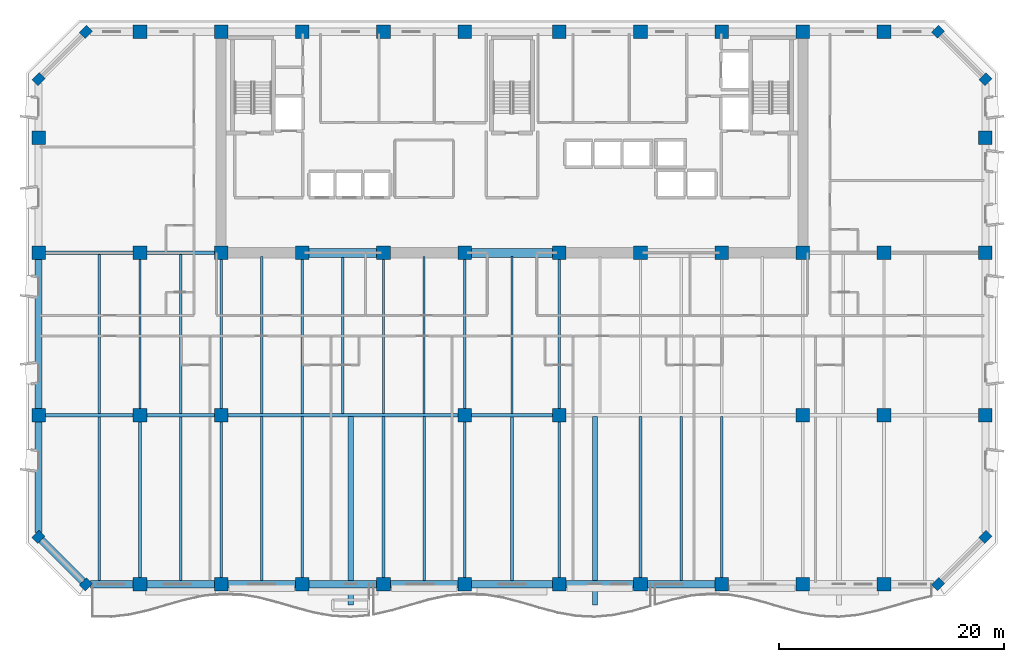
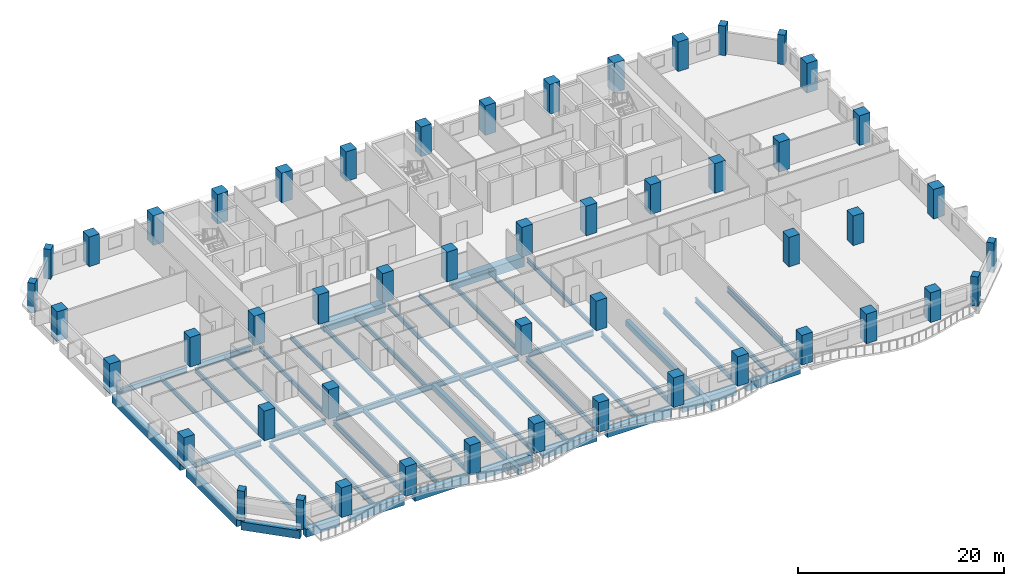
# One storey, part 1 of 15: 50 columns, 47 beams.
"""IFC4 building model written with IfcOpenShell, lengths in metres."""

from ifc_helpers import new_model, si_unit, direction, frame, origin, origin_2d, place, context, subcontext, project, spatial, rectangle, i_section, extrude, material, material_profile, profile_set, type_object, element, save


model = new_model("IFC4")

# Units and contexts
model_context = context("Model", 3, precision=1e-05, world=origin(), true_north=direction((0.0, 1.0)))
body_context = subcontext(model_context, "Body", "Model", "MODEL_VIEW")
ifc_project = project(units=[si_unit("LENGTHUNIT", "METRE"), si_unit("AREAUNIT", "SQUARE_METRE"), si_unit("VOLUMEUNIT", "CUBIC_METRE"), si_unit("PLANEANGLEUNIT", "RADIAN"), si_unit("MASSUNIT", "GRAM", prefix="KILO")], contexts=[model_context])

# Site, building, storey
site_placement = place(None, origin())
site = spatial("IfcSite", under=ifc_project, at=site_placement, CompositionType="ELEMENT")
building_placement = place(site_placement, origin())
building = spatial("IfcBuilding", under=site, at=building_placement, Name="Kaelvorn Grand Hotel", CompositionType="ELEMENT")
storey_placement = place(building_placement, frame((0.0, 0.0, 104.300048828125)))
storey = spatial("IfcBuildingStorey", under=building, at=storey_placement, Name="L24", CompositionType="ELEMENT", Elevation=104.300048828125)

# Columns
ifc_material_1 = material(Name="Concrete C60/75", Category="concrete")
ifc_material_profile_1 = material_profile(ifc_material_1, rectangle(XDim=0.89990234375, YDim=0.75, at=origin_2d()), Name="RC PILASTER 900x750")
ifc_profile_set_1 = profile_set([ifc_material_profile_1], Name="Concrete C60/75")
column_type_1 = type_object("IfcColumnType", Name="COL-PIL-900x750-C60", PredefinedType="PILASTER", material=ifc_profile_set_1)
for number, where, z_axis, x_axis, name in (
    (1, (4.199951171875, 0.0, 0.0), (0.0, 0.0, 1.0), (0.707106781187, 0.707106781187, 0.0), "L24 Structural Column CH-01"),
    (2, (79.800048828125, 0.0, 0.0), (0.0, 0.0, 1.0), (0.707106781187, 0.707106781187, 0.0), "L24 Structural Column CH-02"),
    (3, (84.0, 4.199951171875, 0.0), (0.0, 0.0, 1.0), (0.707106781187, 0.707106781187, 0.0), "L24 Structural Column CH-03"),
    (4, (84.0, 44.800048828125, 0.0), (0.0, 0.0, 1.0), (0.707106781187, 0.707106781187, 0.0), "L24 Structural Column CH-04"),
    (5, (79.800048828125, 49.0, 0.0), (0.0, 0.0, 1.0), (0.707106781187, 0.707106781187, 0.0), "L24 Structural Column CH-05"),
    (6, (4.199951171875, 49.0, 0.0), (0.0, 0.0, 1.0), (0.707106781187, 0.707106781187, 0.0), "L24 Structural Column CH-06"),
    (7, (0.0, 44.800048828125, 0.0), (0.0, 0.0, 1.0), (0.707106781187, 0.707106781187, 0.0), "L24 Structural Column CH-07"),
    (8, (0.0, 4.199951171875, 0.0), (0.0, 0.0, 1.0), (0.707106781187, 0.707106781187, 0.0), "L24 Structural Column CH-08"),
):
    element("IfcColumn", number, at=place(storey_placement, frame(where, z_axis=z_axis, x_axis=x_axis)), inside=storey, type_object=column_type_1, Name=name, PredefinedType="PILASTER", context=body_context, shape_type="SweptSolid", body=[
        extrude(rectangle(XDim=0.89990234375, YDim=0.75, at=origin_2d()), origin(), (0.0, 0.0, 1.0), 3.510009765625),
    ])
ifc_material_profile_2 = material_profile(ifc_material_1, rectangle(XDim=1.199951171875, YDim=1.199951171875, at=origin_2d()), Name="RC COL 1200x1200")
ifc_profile_set_2 = profile_set([ifc_material_profile_2], Name="Concrete C60/75")
column_type_2 = type_object("IfcColumnType", Name="COL-RC-1200-C60", PredefinedType="COLUMN", material=ifc_profile_set_2)
for number, where, z_axis, x_axis, name in (
    (9, (9.0, 0.0, 0.0), (0.0, 0.0, 1.0), (1.0, 0.0, 0.0), "L24 Structural Column S-01"),
    (10, (16.199951171875, 0.0, 0.0), (0.0, 0.0, 1.0), (1.0, 0.0, 0.0), "L24 Structural Column S-02"),
    (11, (23.39990234375, 0.0, 0.0), (0.0, 0.0, 1.0), (1.0, 0.0, 0.0), "L24 Structural Column S-03"),
    (12, (30.60009765625, 0.0, 0.0), (0.0, 0.0, 1.0), (1.0, 0.0, 0.0), "L24 Structural Column S-04"),
    (13, (37.800048828125, 0.0, 0.0), (0.0, 0.0, 1.0), (1.0, 0.0, 0.0), "L24 Structural Column S-05"),
    (14, (46.199951171875, 0.0, 0.0), (0.0, 0.0, 1.0), (1.0, 0.0, 0.0), "L24 Structural Column S-06"),
    (15, (53.39990234375, 0.0, 0.0), (0.0, 0.0, 1.0), (1.0, 0.0, 0.0), "L24 Structural Column S-07"),
    (16, (60.60009765625, 0.0, 0.0), (0.0, 0.0, 1.0), (1.0, 0.0, 0.0), "L24 Structural Column S-08"),
    (17, (67.800048828125, 0.0, 0.0), (0.0, 0.0, 1.0), (1.0, 0.0, 0.0), "L24 Structural Column S-09"),
    (18, (75.0, 0.0, 0.0), (0.0, 0.0, 1.0), (1.0, 0.0, 0.0), "L24 Structural Column S-10"),
    (19, (0.0, 15.0, 0.0), (0.0, 0.0, 1.0), (1.0, 0.0, 0.0), "L24 Structural Column W-01"),
    (20, (84.0, 15.0, 0.0), (0.0, 0.0, 1.0), (1.0, 0.0, 0.0), "L24 Structural Column E-01"),
    (21, (0.0, 29.39990234375, 0.0), (0.0, 0.0, 1.0), (1.0, 0.0, 0.0), "L24 Structural Column W-02"),
    (22, (84.0, 29.39990234375, 0.0), (0.0, 0.0, 1.0), (1.0, 0.0, 0.0), "L24 Structural Column E-02"),
    (23, (0.0, 39.60009765625, 0.0), (0.0, 0.0, 1.0), (1.0, 0.0, 0.0), "L24 Structural Column W-03"),
    (24, (84.0, 39.60009765625, 0.0), (0.0, 0.0, 1.0), (1.0, 0.0, 0.0), "L24 Structural Column E-03"),
    (25, (9.0, 15.0, 0.0), (0.0, 0.0, 1.0), (1.0, 0.0, 0.0), "L24 Structural Column M-01"),
    (26, (16.199951171875, 15.0, 0.0), (0.0, 0.0, 1.0), (1.0, 0.0, 0.0), "L24 Structural Column M-02"),
    (27, (37.800048828125, 15.0, 0.0), (0.0, 0.0, 1.0), (1.0, 0.0, 0.0), "L24 Structural Column M-03"),
    (28, (46.199951171875, 15.0, 0.0), (0.0, 0.0, 1.0), (1.0, 0.0, 0.0), "L24 Structural Column M-04"),
    (29, (67.800048828125, 15.0, 0.0), (0.0, 0.0, 1.0), (1.0, 0.0, 0.0), "L24 Structural Column M-05"),
    (30, (75.0, 15.0, 0.0), (0.0, 0.0, 1.0), (1.0, 0.0, 0.0), "L24 Structural Column M-06"),
    (31, (9.0, 29.39990234375, 0.0), (0.0, 0.0, 1.0), (1.0, 0.0, 0.0), "L24 Structural Column CR1-01"),
    (32, (9.0, 49.0, 0.0), (0.0, 0.0, 1.0), (1.0, 0.0, 0.0), "L24 Structural Column CR2-01"),
    (33, (16.199951171875, 29.39990234375, 0.0), (0.0, 0.0, 1.0), (1.0, 0.0, 0.0), "L24 Structural Column CR1-02"),
    (34, (16.199951171875, 49.0, 0.0), (0.0, 0.0, 1.0), (1.0, 0.0, 0.0), "L24 Structural Column CR2-02"),
    (35, (23.39990234375, 29.39990234375, 0.0), (0.0, 0.0, 1.0), (1.0, 0.0, 0.0), "L24 Structural Column CR1-03"),
    (36, (23.39990234375, 49.0, 0.0), (0.0, 0.0, 1.0), (1.0, 0.0, 0.0), "L24 Structural Column CR2-03"),
    (37, (30.60009765625, 29.39990234375, 0.0), (0.0, 0.0, 1.0), (1.0, 0.0, 0.0), "L24 Structural Column CR1-04"),
    (38, (30.60009765625, 49.0, 0.0), (0.0, 0.0, 1.0), (1.0, 0.0, 0.0), "L24 Structural Column CR2-04"),
    (39, (37.800048828125, 29.39990234375, 0.0), (0.0, 0.0, 1.0), (1.0, 0.0, 0.0), "L24 Structural Column CR1-05"),
    (40, (37.800048828125, 49.0, 0.0), (0.0, 0.0, 1.0), (1.0, 0.0, 0.0), "L24 Structural Column CR2-05"),
    (41, (46.199951171875, 29.39990234375, 0.0), (0.0, 0.0, 1.0), (1.0, 0.0, 0.0), "L24 Structural Column CR1-06"),
    (42, (46.199951171875, 49.0, 0.0), (0.0, 0.0, 1.0), (1.0, 0.0, 0.0), "L24 Structural Column CR2-06"),
    (43, (53.39990234375, 29.39990234375, 0.0), (0.0, 0.0, 1.0), (1.0, 0.0, 0.0), "L24 Structural Column CR1-07"),
    (44, (53.39990234375, 49.0, 0.0), (0.0, 0.0, 1.0), (1.0, 0.0, 0.0), "L24 Structural Column CR2-07"),
    (45, (60.60009765625, 29.39990234375, 0.0), (0.0, 0.0, 1.0), (1.0, 0.0, 0.0), "L24 Structural Column CR1-08"),
    (46, (60.60009765625, 49.0, 0.0), (0.0, 0.0, 1.0), (1.0, 0.0, 0.0), "L24 Structural Column CR2-08"),
    (47, (67.800048828125, 29.39990234375, 0.0), (0.0, 0.0, 1.0), (1.0, 0.0, 0.0), "L24 Structural Column CR1-09"),
    (48, (67.800048828125, 49.0, 0.0), (0.0, 0.0, 1.0), (1.0, 0.0, 0.0), "L24 Structural Column CR2-09"),
    (49, (75.0, 29.39990234375, 0.0), (0.0, 0.0, 1.0), (1.0, 0.0, 0.0), "L24 Structural Column CR1-10"),
    (50, (75.0, 49.0, 0.0), (0.0, 0.0, 1.0), (1.0, 0.0, 0.0), "L24 Structural Column CR2-10"),
):
    element("IfcColumn", number, at=place(storey_placement, frame(where, z_axis=z_axis, x_axis=x_axis)), inside=storey, type_object=column_type_2, Name=name, PredefinedType="COLUMN", context=body_context, shape_type="SweptSolid", body=[
        extrude(rectangle(XDim=1.199951171875, YDim=1.199951171875, at=origin_2d()), origin(), (0.0, 0.0, 1.0), 3.510009765625),
    ])

# Beams
ifc_material_2 = material(Name="Steel S355", Category="steel")
ifc_material_profile_3 = material_profile(ifc_material_2, i_section(OverallWidth=0.300048828125, OverallDepth=0.64990234375, WebThickness=0.01611328125, FlangeThickness=0.031005859375, FilletRadius=0.027099609375, at=origin_2d()), Name="HEB 650")
ifc_profile_set_3 = profile_set([ifc_material_profile_3], Name="Steel S355")
beam_type_1 = type_object("IfcBeamType", Name="BM-G-HEB650-S355", PredefinedType="BEAM", material=ifc_profile_set_3)
beam_1_placement = place(storey_placement, frame((0.5849609375, 15.0, -0.56494140625), z_axis=(1.0, 0.0, 0.0), x_axis=(0.0, 1.0, 0.0)))
element("IfcBeam", 51, at=beam_1_placement, inside=storey, type_object=beam_type_1, Name="L24 Primary Spine Steel Girder G-15 01", PredefinedType="BEAM", context=body_context, shape_type="SweptSolid", body=[
    extrude(i_section(OverallWidth=0.300048828125, OverallDepth=0.64990234375, WebThickness=0.01611328125, FlangeThickness=0.031005859375, FilletRadius=0.027099609375, at=origin_2d()), origin(), (0.0, 0.0, 1.0), 7.830078125),
])
beam_2_placement = place(storey_placement, frame((9.5849609375, 15.0, -0.56494140625), z_axis=(1.0, 0.0, 0.0), x_axis=(0.0, 1.0, 0.0)))
element("IfcBeam", 52, at=beam_2_placement, inside=storey, type_object=beam_type_1, Name="L24 Primary Spine Steel Girder G-15 02", PredefinedType="BEAM", context=body_context, shape_type="SweptSolid", body=[
    extrude(i_section(OverallWidth=0.300048828125, OverallDepth=0.64990234375, WebThickness=0.01611328125, FlangeThickness=0.031005859375, FilletRadius=0.027099609375, at=origin_2d()), origin(), (0.0, 0.0, 1.0), 6.030029296875),
])
beam_3_placement = place(storey_placement, frame((16.784912109375, 15.0, -0.56494140625), z_axis=(1.0, 0.0, 0.0), x_axis=(0.0, 1.0, 0.0)))
element("IfcBeam", 53, at=beam_3_placement, inside=storey, type_object=beam_type_1, Name="L24 Primary Spine Steel Girder G-15 03", PredefinedType="BEAM", context=body_context, shape_type="SweptSolid", body=[
    extrude(i_section(OverallWidth=0.300048828125, OverallDepth=0.64990234375, WebThickness=0.01611328125, FlangeThickness=0.031005859375, FilletRadius=0.027099609375, at=origin_2d()), origin(), (0.0, 0.0, 1.0), 20.43017578125),
])
beam_4_placement = place(storey_placement, frame((38.385009765625, 15.0, -0.56494140625), z_axis=(1.0, 0.0, 0.0), x_axis=(0.0, 1.0, 0.0)))
element("IfcBeam", 54, at=beam_4_placement, inside=storey, type_object=beam_type_1, Name="L24 Primary Spine Steel Girder G-15 04", PredefinedType="BEAM", context=body_context, shape_type="SweptSolid", body=[
    extrude(i_section(OverallWidth=0.300048828125, OverallDepth=0.64990234375, WebThickness=0.01611328125, FlangeThickness=0.031005859375, FilletRadius=0.027099609375, at=origin_2d()), origin(), (0.0, 0.0, 1.0), 7.22998046875),
])
beam_5_placement = place(storey_placement, frame((0.5849609375, 29.39990234375, -0.56494140625), z_axis=(1.0, 0.0, 0.0), x_axis=(0.0, 1.0, 0.0)))
element("IfcBeam", 55, at=beam_5_placement, inside=storey, type_object=beam_type_1, Name="L24 West Core Wing Steel Girder G-29W 01", PredefinedType="BEAM", context=body_context, shape_type="SweptSolid", body=[
    extrude(i_section(OverallWidth=0.300048828125, OverallDepth=0.64990234375, WebThickness=0.01611328125, FlangeThickness=0.031005859375, FilletRadius=0.027099609375, at=origin_2d()), origin(), (0.0, 0.0, 1.0), 7.830078125),
])
beam_6_placement = place(storey_placement, frame((9.5849609375, 29.39990234375, -0.56494140625), z_axis=(1.0, 0.0, 0.0), x_axis=(0.0, 1.0, 0.0)))
element("IfcBeam", 56, at=beam_6_placement, inside=storey, type_object=beam_type_1, Name="L24 West Core Wing Steel Girder G-29W 02", PredefinedType="BEAM", context=body_context, shape_type="SweptSolid", body=[
    extrude(i_section(OverallWidth=0.300048828125, OverallDepth=0.64990234375, WebThickness=0.01611328125, FlangeThickness=0.031005859375, FilletRadius=0.027099609375, at=origin_2d()), origin(), (0.0, 0.0, 1.0), 6.030029296875),
])
ifc_material_profile_4 = material_profile(ifc_material_2, i_section(OverallWidth=0.209228515625, OverallDepth=0.533203125, WebThickness=0.010009765625, FlangeThickness=0.015625, FilletRadius=0.0126953125, at=origin_2d()), Name="UB 533x210x92")
ifc_profile_set_4 = profile_set([ifc_material_profile_4], Name="Steel S355")
beam_type_2 = type_object("IfcBeamType", Name="BM-J-UB533-S355", PredefinedType="JOIST", material=ifc_profile_set_4)
beam_7_placement = place(storey_placement, frame((5.39990234375, 15.135009765625, -0.506591796875), z_axis=(0.0, 1.0, 0.0), x_axis=(-1.0, 0.0, 0.0)))
element("IfcBeam", 57, at=beam_7_placement, inside=storey, type_object=beam_type_2, Name="L24 Composite Floor Joist JM-02", PredefinedType="JOIST", context=body_context, shape_type="SweptSolid", body=[
    extrude(i_section(OverallWidth=0.209228515625, OverallDepth=0.533203125, WebThickness=0.010009765625, FlangeThickness=0.015625, FilletRadius=0.0126953125, at=origin_2d()), origin(), (0.0, 0.0, 1.0), 14.1298828125),
])
beam_8_placement = place(storey_placement, frame((9.0, 15.5849609375, -0.506591796875), z_axis=(0.0, 1.0, 0.0), x_axis=(-1.0, 0.0, 0.0)))
element("IfcBeam", 58, at=beam_8_placement, inside=storey, type_object=beam_type_2, Name="L24 Composite Floor Joist JM-03", PredefinedType="JOIST", context=body_context, shape_type="SweptSolid", body=[
    extrude(i_section(OverallWidth=0.209228515625, OverallDepth=0.533203125, WebThickness=0.010009765625, FlangeThickness=0.015625, FilletRadius=0.0126953125, at=origin_2d()), origin(), (0.0, 0.0, 1.0), 13.22998046875),
])
beam_9_placement = place(storey_placement, frame((12.60009765625, 15.135009765625, -0.506591796875), z_axis=(0.0, 1.0, 0.0), x_axis=(-1.0, 0.0, 0.0)))
element("IfcBeam", 59, at=beam_9_placement, inside=storey, type_object=beam_type_2, Name="L24 Composite Floor Joist JM-04", PredefinedType="JOIST", context=body_context, shape_type="SweptSolid", body=[
    extrude(i_section(OverallWidth=0.209228515625, OverallDepth=0.533203125, WebThickness=0.010009765625, FlangeThickness=0.015625, FilletRadius=0.0126953125, at=origin_2d()), origin(), (0.0, 0.0, 1.0), 14.1298828125),
])
beam_10_placement = place(storey_placement, frame((16.199951171875, 15.5849609375, -0.506591796875), z_axis=(0.0, 1.0, 0.0), x_axis=(-1.0, 0.0, 0.0)))
element("IfcBeam", 60, at=beam_10_placement, inside=storey, type_object=beam_type_2, Name="L24 Composite Floor Joist JM-05", PredefinedType="JOIST", context=body_context, shape_type="SweptSolid", body=[
    extrude(i_section(OverallWidth=0.209228515625, OverallDepth=0.533203125, WebThickness=0.010009765625, FlangeThickness=0.015625, FilletRadius=0.0126953125, at=origin_2d()), origin(), (0.0, 0.0, 1.0), 13.22998046875),
])
beam_11_placement = place(storey_placement, frame((19.800048828125, 15.135009765625, -0.506591796875), z_axis=(0.0, 1.0, 0.0), x_axis=(-1.0, 0.0, 0.0)))
element("IfcBeam", 61, at=beam_11_placement, inside=storey, type_object=beam_type_2, Name="L24 Composite Floor Joist JM-06", PredefinedType="JOIST", context=body_context, shape_type="SweptSolid", body=[
    extrude(i_section(OverallWidth=0.209228515625, OverallDepth=0.533203125, WebThickness=0.010009765625, FlangeThickness=0.015625, FilletRadius=0.0126953125, at=origin_2d()), origin(), (0.0, 0.0, 1.0), 13.925048828125),
])
beam_12_placement = place(storey_placement, frame((23.39990234375, 15.135009765625, -0.506591796875), z_axis=(0.0, 1.0, 0.0), x_axis=(-1.0, 0.0, 0.0)))
element("IfcBeam", 62, at=beam_12_placement, inside=storey, type_object=beam_type_2, Name="L24 Composite Floor Joist JM-07", PredefinedType="JOIST", context=body_context, shape_type="SweptSolid", body=[
    extrude(i_section(OverallWidth=0.209228515625, OverallDepth=0.533203125, WebThickness=0.010009765625, FlangeThickness=0.015625, FilletRadius=0.0126953125, at=origin_2d()), origin(), (0.0, 0.0, 1.0), 13.679931640625),
])
beam_13_placement = place(storey_placement, frame((27.0, 15.135009765625, -0.506591796875), z_axis=(0.0, 1.0, 0.0), x_axis=(-1.0, 0.0, 0.0)))
element("IfcBeam", 63, at=beam_13_placement, inside=storey, type_object=beam_type_2, Name="L24 Composite Floor Joist JM-08", PredefinedType="JOIST", context=body_context, shape_type="SweptSolid", body=[
    extrude(i_section(OverallWidth=0.209228515625, OverallDepth=0.533203125, WebThickness=0.010009765625, FlangeThickness=0.015625, FilletRadius=0.0126953125, at=origin_2d()), origin(), (0.0, 0.0, 1.0), 13.925048828125),
])
beam_14_placement = place(storey_placement, frame((30.60009765625, 15.135009765625, -0.506591796875), z_axis=(0.0, 1.0, 0.0), x_axis=(-1.0, 0.0, 0.0)))
element("IfcBeam", 64, at=beam_14_placement, inside=storey, type_object=beam_type_2, Name="L24 Composite Floor Joist JM-09", PredefinedType="JOIST", context=body_context, shape_type="SweptSolid", body=[
    extrude(i_section(OverallWidth=0.209228515625, OverallDepth=0.533203125, WebThickness=0.010009765625, FlangeThickness=0.015625, FilletRadius=0.0126953125, at=origin_2d()), origin(), (0.0, 0.0, 1.0), 13.679931640625),
])
beam_15_placement = place(storey_placement, frame((34.199951171875, 15.135009765625, -0.506591796875), z_axis=(0.0, 1.0, 0.0), x_axis=(-1.0, 0.0, 0.0)))
element("IfcBeam", 65, at=beam_15_placement, inside=storey, type_object=beam_type_2, Name="L24 Composite Floor Joist JM-10", PredefinedType="JOIST", context=body_context, shape_type="SweptSolid", body=[
    extrude(i_section(OverallWidth=0.209228515625, OverallDepth=0.533203125, WebThickness=0.010009765625, FlangeThickness=0.015625, FilletRadius=0.0126953125, at=origin_2d()), origin(), (0.0, 0.0, 1.0), 13.925048828125),
])
beam_16_placement = place(storey_placement, frame((37.800048828125, 15.5849609375, -0.506591796875), z_axis=(0.0, 1.0, 0.0), x_axis=(-1.0, 0.0, 0.0)))
element("IfcBeam", 66, at=beam_16_placement, inside=storey, type_object=beam_type_2, Name="L24 Composite Floor Joist JM-11", PredefinedType="JOIST", context=body_context, shape_type="SweptSolid", body=[
    extrude(i_section(OverallWidth=0.209228515625, OverallDepth=0.533203125, WebThickness=0.010009765625, FlangeThickness=0.015625, FilletRadius=0.0126953125, at=origin_2d()), origin(), (0.0, 0.0, 1.0), 13.22998046875),
])
beam_17_placement = place(storey_placement, frame((42.0, 15.135009765625, -0.506591796875), z_axis=(0.0, 1.0, 0.0), x_axis=(-1.0, 0.0, 0.0)))
element("IfcBeam", 67, at=beam_17_placement, inside=storey, type_object=beam_type_2, Name="L24 Composite Floor Joist JM-12", PredefinedType="JOIST", context=body_context, shape_type="SweptSolid", body=[
    extrude(i_section(OverallWidth=0.209228515625, OverallDepth=0.533203125, WebThickness=0.010009765625, FlangeThickness=0.015625, FilletRadius=0.0126953125, at=origin_2d()), origin(), (0.0, 0.0, 1.0), 13.925048828125),
])
beam_18_placement = place(storey_placement, frame((46.199951171875, 15.5849609375, -0.506591796875), z_axis=(0.0, 1.0, 0.0), x_axis=(-1.0, 0.0, 0.0)))
element("IfcBeam", 68, at=beam_18_placement, inside=storey, type_object=beam_type_2, Name="L24 Composite Floor Joist JM-13", PredefinedType="JOIST", context=body_context, shape_type="SweptSolid", body=[
    extrude(i_section(OverallWidth=0.209228515625, OverallDepth=0.533203125, WebThickness=0.010009765625, FlangeThickness=0.015625, FilletRadius=0.0126953125, at=origin_2d()), origin(), (0.0, 0.0, 1.0), 13.22998046875),
])
ifc_material_profile_5 = material_profile(ifc_material_2, i_section(OverallWidth=0.22900390625, OverallDepth=0.6123046875, WebThickness=0.011962890625, FlangeThickness=0.01953125, FilletRadius=0.0126953125, at=origin_2d()), Name="UB 610x229x125")
ifc_profile_set_5 = profile_set([ifc_material_profile_5], Name="Steel S355")
beam_type_3 = type_object("IfcBeamType", Name="BM-J-UB610-S355", PredefinedType="JOIST", material=ifc_profile_set_5)
beam_19_placement = place(storey_placement, frame((5.39990234375, 0.31005859375, -0.546142578125), z_axis=(0.0, 1.0, 0.0), x_axis=(-1.0, 0.0, 0.0)))
element("IfcBeam", 69, at=beam_19_placement, inside=storey, type_object=beam_type_3, Name="L24 Composite Floor Joist JS-02", PredefinedType="JOIST", context=body_context, shape_type="SweptSolid", body=[
    extrude(i_section(OverallWidth=0.22900390625, OverallDepth=0.6123046875, WebThickness=0.011962890625, FlangeThickness=0.01953125, FilletRadius=0.0126953125, at=origin_2d()), origin(), (0.0, 0.0, 1.0), 14.554931640625),
])
beam_20_placement = place(storey_placement, frame((9.0, 0.5849609375, -0.546142578125), z_axis=(0.0, 1.0, 0.0), x_axis=(-1.0, 0.0, 0.0)))
element("IfcBeam", 70, at=beam_20_placement, inside=storey, type_object=beam_type_3, Name="L24 Composite Floor Joist JS-03", PredefinedType="JOIST", context=body_context, shape_type="SweptSolid", body=[
    extrude(i_section(OverallWidth=0.22900390625, OverallDepth=0.6123046875, WebThickness=0.011962890625, FlangeThickness=0.01953125, FilletRadius=0.0126953125, at=origin_2d()), origin(), (0.0, 0.0, 1.0), 13.830078125),
])
beam_21_placement = place(storey_placement, frame((12.60009765625, 0.31005859375, -0.546142578125), z_axis=(0.0, 1.0, 0.0), x_axis=(-1.0, 0.0, 0.0)))
element("IfcBeam", 71, at=beam_21_placement, inside=storey, type_object=beam_type_3, Name="L24 Composite Floor Joist JS-04", PredefinedType="JOIST", context=body_context, shape_type="SweptSolid", body=[
    extrude(i_section(OverallWidth=0.22900390625, OverallDepth=0.6123046875, WebThickness=0.011962890625, FlangeThickness=0.01953125, FilletRadius=0.0126953125, at=origin_2d()), origin(), (0.0, 0.0, 1.0), 14.554931640625),
])
beam_22_placement = place(storey_placement, frame((16.199951171875, 0.5849609375, -0.546142578125), z_axis=(0.0, 1.0, 0.0), x_axis=(-1.0, 0.0, 0.0)))
element("IfcBeam", 72, at=beam_22_placement, inside=storey, type_object=beam_type_3, Name="L24 Composite Floor Joist JS-05", PredefinedType="JOIST", context=body_context, shape_type="SweptSolid", body=[
    extrude(i_section(OverallWidth=0.22900390625, OverallDepth=0.6123046875, WebThickness=0.011962890625, FlangeThickness=0.01953125, FilletRadius=0.0126953125, at=origin_2d()), origin(), (0.0, 0.0, 1.0), 13.830078125),
])
beam_23_placement = place(storey_placement, frame((19.800048828125, 0.31005859375, -0.546142578125), z_axis=(0.0, 1.0, 0.0), x_axis=(-1.0, 0.0, 0.0)))
element("IfcBeam", 73, at=beam_23_placement, inside=storey, type_object=beam_type_3, Name="L24 Composite Floor Joist JS-06", PredefinedType="JOIST", context=body_context, shape_type="SweptSolid", body=[
    extrude(i_section(OverallWidth=0.22900390625, OverallDepth=0.6123046875, WebThickness=0.011962890625, FlangeThickness=0.01953125, FilletRadius=0.0126953125, at=origin_2d()), origin(), (0.0, 0.0, 1.0), 14.554931640625),
])
for number, where, z_axis, x_axis, name in (
    (74, (23.39990234375, 0.5849609375, -0.546142578125), (0.0, 1.0, 0.0), (-1.0, 0.0, 0.0), "L24 Composite Floor Joist JS-07"),
    (75, (30.60009765625, 0.5849609375, -0.546142578125), (0.0, 1.0, 0.0), (-1.0, 0.0, 0.0), "L24 Composite Floor Joist JS-09"),
):
    element("IfcBeam", number, at=place(storey_placement, frame(where, z_axis=z_axis, x_axis=x_axis)), inside=storey, type_object=beam_type_3, Name=name, PredefinedType="JOIST", context=body_context, shape_type="SweptSolid", body=[
        extrude(i_section(OverallWidth=0.22900390625, OverallDepth=0.6123046875, WebThickness=0.011962890625, FlangeThickness=0.01953125, FilletRadius=0.0126953125, at=origin_2d()), origin(), (0.0, 0.0, 1.0), 14.280029296875),
    ])
beam_24_placement = place(storey_placement, frame((34.199951171875, 0.31005859375, -0.546142578125), z_axis=(0.0, 1.0, 0.0), x_axis=(-1.0, 0.0, 0.0)))
element("IfcBeam", 76, at=beam_24_placement, inside=storey, type_object=beam_type_3, Name="L24 Composite Floor Joist JS-10", PredefinedType="JOIST", context=body_context, shape_type="SweptSolid", body=[
    extrude(i_section(OverallWidth=0.22900390625, OverallDepth=0.6123046875, WebThickness=0.011962890625, FlangeThickness=0.01953125, FilletRadius=0.0126953125, at=origin_2d()), origin(), (0.0, 0.0, 1.0), 14.554931640625),
])
beam_25_placement = place(storey_placement, frame((37.800048828125, 0.5849609375, -0.546142578125), z_axis=(0.0, 1.0, 0.0), x_axis=(-1.0, 0.0, 0.0)))
element("IfcBeam", 77, at=beam_25_placement, inside=storey, type_object=beam_type_3, Name="L24 Composite Floor Joist JS-11", PredefinedType="JOIST", context=body_context, shape_type="SweptSolid", body=[
    extrude(i_section(OverallWidth=0.22900390625, OverallDepth=0.6123046875, WebThickness=0.011962890625, FlangeThickness=0.01953125, FilletRadius=0.0126953125, at=origin_2d()), origin(), (0.0, 0.0, 1.0), 13.830078125),
])
beam_26_placement = place(storey_placement, frame((42.0, 0.31005859375, -0.546142578125), z_axis=(0.0, 1.0, 0.0), x_axis=(-1.0, 0.0, 0.0)))
element("IfcBeam", 78, at=beam_26_placement, inside=storey, type_object=beam_type_3, Name="L24 Composite Floor Joist JS-12", PredefinedType="JOIST", context=body_context, shape_type="SweptSolid", body=[
    extrude(i_section(OverallWidth=0.22900390625, OverallDepth=0.6123046875, WebThickness=0.011962890625, FlangeThickness=0.01953125, FilletRadius=0.0126953125, at=origin_2d()), origin(), (0.0, 0.0, 1.0), 14.554931640625),
])
beam_27_placement = place(storey_placement, frame((46.199951171875, 0.5849609375, -0.546142578125), z_axis=(0.0, 1.0, 0.0), x_axis=(-1.0, 0.0, 0.0)))
element("IfcBeam", 79, at=beam_27_placement, inside=storey, type_object=beam_type_3, Name="L24 Composite Floor Joist JS-13", PredefinedType="JOIST", context=body_context, shape_type="SweptSolid", body=[
    extrude(i_section(OverallWidth=0.22900390625, OverallDepth=0.6123046875, WebThickness=0.011962890625, FlangeThickness=0.01953125, FilletRadius=0.0126953125, at=origin_2d()), origin(), (0.0, 0.0, 1.0), 13.830078125),
])
beam_28_placement = place(storey_placement, frame((53.39990234375, 0.5849609375, -0.546142578125), z_axis=(0.0, 1.0, 0.0), x_axis=(-1.0, 0.0, 0.0)))
element("IfcBeam", 80, at=beam_28_placement, inside=storey, type_object=beam_type_3, Name="L24 Composite Floor Joist JS-15", PredefinedType="JOIST", context=body_context, shape_type="SweptSolid", body=[
    extrude(i_section(OverallWidth=0.22900390625, OverallDepth=0.6123046875, WebThickness=0.011962890625, FlangeThickness=0.01953125, FilletRadius=0.0126953125, at=origin_2d()), origin(), (0.0, 0.0, 1.0), 14.280029296875),
])
beam_29_placement = place(storey_placement, frame((57.0, 0.31005859375, -0.546142578125), z_axis=(0.0, 1.0, 0.0), x_axis=(-1.0, 0.0, 0.0)))
element("IfcBeam", 81, at=beam_29_placement, inside=storey, type_object=beam_type_3, Name="L24 Composite Floor Joist JS-16", PredefinedType="JOIST", context=body_context, shape_type="SweptSolid", body=[
    extrude(i_section(OverallWidth=0.22900390625, OverallDepth=0.6123046875, WebThickness=0.011962890625, FlangeThickness=0.01953125, FilletRadius=0.0126953125, at=origin_2d()), origin(), (0.0, 0.0, 1.0), 14.554931640625),
])
beam_30_placement = place(storey_placement, frame((60.60009765625, 0.5849609375, -0.546142578125), z_axis=(0.0, 1.0, 0.0), x_axis=(-1.0, 0.0, 0.0)))
element("IfcBeam", 82, at=beam_30_placement, inside=storey, type_object=beam_type_3, Name="L24 Composite Floor Joist JS-17", PredefinedType="JOIST", context=body_context, shape_type="SweptSolid", body=[
    extrude(i_section(OverallWidth=0.22900390625, OverallDepth=0.6123046875, WebThickness=0.011962890625, FlangeThickness=0.01953125, FilletRadius=0.0126953125, at=origin_2d()), origin(), (0.0, 0.0, 1.0), 14.280029296875),
])
ifc_material_profile_6 = material_profile(ifc_material_1, rectangle(XDim=0.800048828125, YDim=1.10009765625, at=origin_2d()), Name="RC LINTEL 800x1100")
ifc_profile_set_6 = profile_set([ifc_material_profile_6], Name="Concrete C60/75")
beam_type_4 = type_object("IfcBeamType", Name="BM-LIN-800x1100-C60", PredefinedType="LINTEL", material=ifc_profile_set_6)
beam_31_placement = place(storey_placement, frame((23.580078125, 29.39990234375, -0.7900390625), z_axis=(1.0, 0.0, 0.0), x_axis=(0.0, 1.0, 0.0)))
element("IfcBeam", 83, at=beam_31_placement, inside=storey, type_object=beam_type_4, Name="L24 Rear-Core Coupling Lintel Beam CB1-01", PredefinedType="LINTEL", context=body_context, shape_type="SweptSolid", body=[
    extrude(rectangle(XDim=0.800048828125, YDim=1.10009765625, at=origin_2d()), origin(), (0.0, 0.0, 1.0), 6.83984375),
])
beam_32_placement = place(storey_placement, frame((37.97998046875, 29.39990234375, -0.7900390625), z_axis=(1.0, 0.0, 0.0), x_axis=(0.0, 1.0, 0.0)))
element("IfcBeam", 84, at=beam_32_placement, inside=storey, type_object=beam_type_4, Name="L24 Rear-Core Coupling Lintel Beam CB1-02", PredefinedType="LINTEL", context=body_context, shape_type="SweptSolid", body=[
    extrude(rectangle(XDim=0.800048828125, YDim=1.10009765625, at=origin_2d()), origin(), (0.0, 0.0, 1.0), 8.0400390625),
])
ifc_material_3 = material(Name="Concrete C40/50", Category="concrete")
ifc_material_profile_7 = material_profile(ifc_material_3, rectangle(XDim=0.449951171875, YDim=0.64990234375, at=origin_2d()), Name="RC RIB 450x650")
ifc_profile_set_7 = profile_set([ifc_material_profile_7], Name="Concrete C40/50")
beam_type_5 = type_object("IfcBeamType", Name="BM-RIB-450x650-C40", PredefinedType="SPANDREL", material=ifc_profile_set_7)
for number, where, z_axis, x_axis, name in (
    (85, (27.69775390625, -1.85009765625, -0.545166015625), (0.0, 1.0, 0.0), (-1.0, 0.0, 0.0), "L24 Cantilevered Balcony Back-Span Rib RB1-1"),
    (86, (49.360107421875, -1.85009765625, -0.545166015625), (0.0, 1.0, 0.0), (-1.0, 0.0, 0.0), "L24 Cantilevered Balcony Back-Span Rib RB1-2"),
):
    element("IfcBeam", number, at=place(storey_placement, frame(where, z_axis=z_axis, x_axis=x_axis)), inside=storey, type_object=beam_type_5, Name=name, PredefinedType="SPANDREL", context=body_context, shape_type="SweptSolid", body=[
        extrude(rectangle(XDim=0.449951171875, YDim=0.64990234375, at=origin_2d()), origin(), (0.0, 0.0, 1.0), 16.715087890625),
    ])
ifc_material_profile_8 = material_profile(ifc_material_1, rectangle(XDim=0.64990234375, YDim=0.949951171875, at=origin_2d()), Name="RC SPANDREL 650x950")
ifc_profile_set_8 = profile_set([ifc_material_profile_8], Name="Concrete C60/75")
beam_type_6 = type_object("IfcBeamType", Name="BM-SP-650x950-C60", PredefinedType="SPANDREL", material=ifc_profile_set_8)
beam_33_placement = place(storey_placement, frame((4.60498046875, 0.0, -0.715087890625), z_axis=(1.0, 0.0, 0.0), x_axis=(0.0, 1.0, 0.0)))
element("IfcBeam", 87, at=beam_33_placement, inside=storey, type_object=beam_type_6, Name="L24 South Perimeter Spandrel 01", PredefinedType="SPANDREL", context=body_context, shape_type="SweptSolid", body=[
    extrude(rectangle(XDim=0.64990234375, YDim=0.949951171875, at=origin_2d()), origin(), (0.0, 0.0, 1.0), 3.81005859375),
])
for number, where, z_axis, x_axis, name in (
    (88, (9.5849609375, 0.0, -0.715087890625), (1.0, 0.0, 0.0), (0.0, 1.0, 0.0), "L24 South Perimeter Spandrel 02"),
    (89, (16.784912109375, 0.0, -0.715087890625), (1.0, 0.0, 0.0), (0.0, 1.0, 0.0), "L24 South Perimeter Spandrel 03"),
):
    element("IfcBeam", number, at=place(storey_placement, frame(where, z_axis=z_axis, x_axis=x_axis)), inside=storey, type_object=beam_type_6, Name=name, PredefinedType="SPANDREL", context=body_context, shape_type="SweptSolid", body=[
        extrude(rectangle(XDim=0.64990234375, YDim=0.949951171875, at=origin_2d()), origin(), (0.0, 0.0, 1.0), 6.030029296875),
    ])
beam_34_placement = place(storey_placement, frame((23.985107421875, 0.0, -0.715087890625), z_axis=(1.0, 0.0, 0.0), x_axis=(0.0, 1.0, 0.0)))
element("IfcBeam", 90, at=beam_34_placement, inside=storey, type_object=beam_type_6, Name="L24 South Perimeter Spandrel 04", PredefinedType="SPANDREL", context=body_context, shape_type="SweptSolid", body=[
    extrude(rectangle(XDim=0.64990234375, YDim=0.949951171875, at=origin_2d()), origin(), (0.0, 0.0, 1.0), 6.02978515625),
])
beam_35_placement = place(storey_placement, frame((31.18505859375, 0.0, -0.715087890625), z_axis=(1.0, 0.0, 0.0), x_axis=(0.0, 1.0, 0.0)))
element("IfcBeam", 91, at=beam_35_placement, inside=storey, type_object=beam_type_6, Name="L24 South Perimeter Spandrel 05", PredefinedType="SPANDREL", context=body_context, shape_type="SweptSolid", body=[
    extrude(rectangle(XDim=0.64990234375, YDim=0.949951171875, at=origin_2d()), origin(), (0.0, 0.0, 1.0), 6.030029296875),
])
beam_36_placement = place(storey_placement, frame((38.385009765625, 0.0, -0.715087890625), z_axis=(1.0, 0.0, 0.0), x_axis=(0.0, 1.0, 0.0)))
element("IfcBeam", 92, at=beam_36_placement, inside=storey, type_object=beam_type_6, Name="L24 South Perimeter Spandrel 06", PredefinedType="SPANDREL", context=body_context, shape_type="SweptSolid", body=[
    extrude(rectangle(XDim=0.64990234375, YDim=0.949951171875, at=origin_2d()), origin(), (0.0, 0.0, 1.0), 7.22998046875),
])
beam_37_placement = place(storey_placement, frame((46.784912109375, 0.0, -0.715087890625), z_axis=(1.0, 0.0, 0.0), x_axis=(0.0, 1.0, 0.0)))
element("IfcBeam", 93, at=beam_37_placement, inside=storey, type_object=beam_type_6, Name="L24 South Perimeter Spandrel 07", PredefinedType="SPANDREL", context=body_context, shape_type="SweptSolid", body=[
    extrude(rectangle(XDim=0.64990234375, YDim=0.949951171875, at=origin_2d()), origin(), (0.0, 0.0, 1.0), 6.030029296875),
])
beam_38_placement = place(storey_placement, frame((53.985107421875, 0.0, -0.715087890625), z_axis=(1.0, 0.0, 0.0), x_axis=(0.0, 1.0, 0.0)))
element("IfcBeam", 94, at=beam_38_placement, inside=storey, type_object=beam_type_6, Name="L24 South Perimeter Spandrel 08", PredefinedType="SPANDREL", context=body_context, shape_type="SweptSolid", body=[
    extrude(rectangle(XDim=0.64990234375, YDim=0.949951171875, at=origin_2d()), origin(), (0.0, 0.0, 1.0), 6.02978515625),
])
beam_39_placement = place(storey_placement, frame((0.0, 4.60498046875, -0.715087890625), z_axis=(0.0, 1.0, 0.0), x_axis=(-1.0, 0.0, 0.0)))
element("IfcBeam", 95, at=beam_39_placement, inside=storey, type_object=beam_type_6, Name="L24 West Perimeter Spandrel 01", PredefinedType="SPANDREL", context=body_context, shape_type="SweptSolid", body=[
    extrude(rectangle(XDim=0.64990234375, YDim=0.949951171875, at=origin_2d()), origin(), (0.0, 0.0, 1.0), 9.81005859375),
])
beam_40_placement = place(storey_placement, frame((0.0, 15.5849609375, -0.715087890625), z_axis=(0.0, 1.0, 0.0), x_axis=(-1.0, 0.0, 0.0)))
element("IfcBeam", 96, at=beam_40_placement, inside=storey, type_object=beam_type_6, Name="L24 West Perimeter Spandrel 02", PredefinedType="SPANDREL", context=body_context, shape_type="SweptSolid", body=[
    extrude(rectangle(XDim=0.64990234375, YDim=0.949951171875, at=origin_2d()), origin(), (0.0, 0.0, 1.0), 13.22998046875),
])
beam_41_placement = place(storey_placement, frame((0.0, 4.199951171875, -0.715087890625), z_axis=(0.707106781187, -0.707106781187, 0.0), x_axis=(0.707106781187, 0.707106781187, 0.0)))
element("IfcBeam", 97, at=beam_41_placement, inside=storey, type_object=beam_type_6, Name="L24 Chamfer Spandrel Beam 4", PredefinedType="SPANDREL", context=body_context, shape_type="SweptSolid", body=[
    extrude(rectangle(XDim=0.64990234375, YDim=0.949951171875, at=origin_2d()), origin(), (0.0, 0.0, 1.0), 5.939697265625),
])

save(model, "model.ifc")
